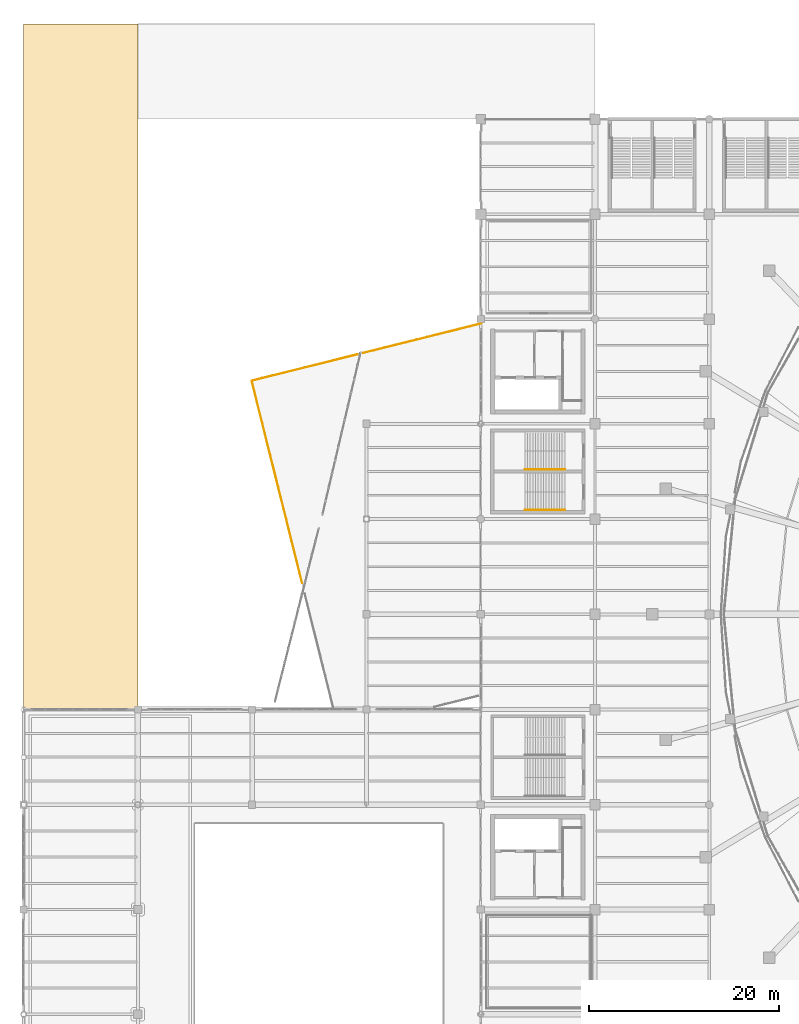
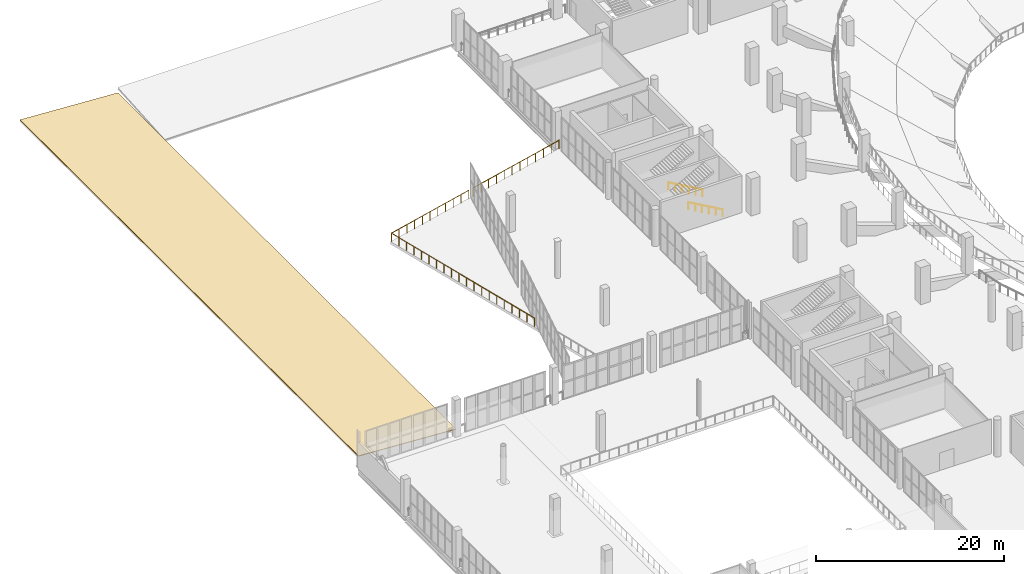
# One storey, part 127 of 136: 4 railings, 1 covering.
"""IFC4 building model written with IfcOpenShell, lengths in metres."""

from ifc_helpers import new_model, si_unit, direction, frame, origin, origin_2d, place, context, subcontext, project, spatial, polyline, circle, outline, extrude, material, layer, layer_set, type_object, element, save


model = new_model("IFC4")

# Units and contexts
model_context = context("Model", 3, precision=1e-05, world=origin(), true_north=direction((0.0, 1.0)))
body_context = subcontext(model_context, "Body", "Model", "MODEL_VIEW")
ifc_project = project(units=[si_unit("LENGTHUNIT", "METRE"), si_unit("AREAUNIT", "SQUARE_METRE"), si_unit("VOLUMEUNIT", "CUBIC_METRE"), si_unit("PLANEANGLEUNIT", "RADIAN"), si_unit("MASSUNIT", "GRAM", prefix="KILO")], contexts=[model_context])

# Site, building, storey
site_placement = place(None, origin())
site = spatial("IfcSite", under=ifc_project, at=site_placement, CompositionType="ELEMENT")
building_placement = place(site_placement, origin())
building = spatial("IfcBuilding", under=site, at=building_placement, Name="Brinegate Civic Arena", CompositionType="ELEMENT")
storey_placement = place(building_placement, frame((0.0, 0.0, 5.39990234375)))
storey = spatial("IfcBuildingStorey", under=building, at=storey_placement, Name="L01", CompositionType="ELEMENT", Elevation=5.39990234375)

# Railings
ifc_material_1 = material(Name="Architectural stainless steel balustrade", Category="steel")
railing_type_1 = type_object("IfcRailingType", Name="RAIL-STAIR-HANDRAIL-900", PredefinedType="HANDRAIL", material=ifc_material_1)
for number, where, name in (
    (1, (52.6298828125, 72.955078125, 2.400146484375), "Stair Pitch Handrail ST-07A L01"),
    (2, (52.6298828125, 77.22509765625, 2.400146484375), "Stair Pitch Handrail ST-07B L01"),
):
    element("IfcRailing", number, at=place(storey_placement, frame(where)), inside=storey, type_object=railing_type_1, Name=name, PredefinedType="HANDRAIL", context=body_context, shape_type="SweptSolid", body=[
        extrude(circle(Radius=0.02392578125, at=origin_2d()), frame((0.001220703125, 0.0, 0.875), z_axis=(0.868240036425, 0.0, -0.496144373291), x_axis=(0.0, 1.0, 0.0)), (0.0, 0.0, 1.0), 4.834716796875),
        extrude(circle(Radius=0.02099609375, at=origin_2d()), origin(), (0.0, 0.0, 1.0), 0.849853515625),
        extrude(circle(Radius=0.02099609375, at=origin_2d()), frame((0.840087890625, 0.0, -0.47998046875)), (0.0, 0.0, 1.0), 0.849853515625),
        extrude(circle(Radius=0.02099609375, at=origin_2d()), frame((1.68017578125, 0.0, -0.9599609375)), (0.0, 0.0, 1.0), 0.849853515625),
        extrude(circle(Radius=0.02099609375, at=origin_2d()), frame((2.52001953125, 0.0, -1.440185546875)), (0.0, 0.0, 1.0), 0.849853515625),
        extrude(circle(Radius=0.02099609375, at=origin_2d()), frame((3.360107421875, 0.0, -1.920166015625)), (0.0, 0.0, 1.0), 0.849853515625),
        extrude(circle(Radius=0.02099609375, at=origin_2d()), frame((4.2001953125, 0.0, -2.400146484375)), (0.0, 0.0, 1.0), 0.849853515625),
    ])
railing_type_2 = type_object("IfcRailingType", Name="RAIL-VOID-BALUSTRADE-1120", PredefinedType="BALUSTRADE", material=ifc_material_1)
railing_1_placement = place(storey_placement, frame((29.261962890625, 65.264892578125, 0.0)))
element("IfcRailing", 3, at=railing_1_placement, inside=storey, type_object=railing_type_2, Name="Deck Edge Balustrade L01-007", PredefinedType="BALUSTRADE", context=body_context, shape_type="SweptSolid", body=[
    extrude(circle(Radius=0.02392578125, at=origin_2d()), frame((-0.000244140625, 0.00146484375, 1.09619140625), z_axis=(-0.241916521183, 0.970297066253, 0.0), x_axis=(-0.970297066253, -0.241916521183, 0.0)), (0.0, 0.0, 1.0), 21.896484375),
    extrude(circle(Radius=0.02392578125, at=origin_2d()), frame((-5.29638671875, 21.249267578125, 1.09619140625), z_axis=(0.970289240353, 0.241947907732, 0.0), x_axis=(-0.241947907732, 0.970289240353, 0.0)), (0.0, 0.0, 1.0), 11.433837890625),
    extrude(circle(Radius=0.02099609375, at=origin_2d()), origin(), (0.0, 0.0, 1.0), 1.070068359375),
    extrude(circle(Radius=0.02099609375, at=origin_2d()), frame((-0.27880859375, 1.118408203125, 0.0)), (0.0, 0.0, 1.0), 1.070068359375),
    extrude(circle(Radius=0.02099609375, at=origin_2d()), frame((-0.5576171875, 2.23681640625, 0.0)), (0.0, 0.0, 1.0), 1.070068359375),
    extrude(circle(Radius=0.02099609375, at=origin_2d()), frame((-0.83642578125, 3.355224609375, 0.0)), (0.0, 0.0, 1.0), 1.070068359375),
    extrude(circle(Radius=0.02099609375, at=origin_2d()), frame((-1.115234375, 4.473388671875, 0.0)), (0.0, 0.0, 1.0), 1.070068359375),
    extrude(circle(Radius=0.02099609375, at=origin_2d()), frame((-1.394287109375, 5.591796875, 0.0)), (0.0, 0.0, 1.0), 1.070068359375),
    extrude(circle(Radius=0.02099609375, at=origin_2d()), frame((-1.673095703125, 6.710205078125, 0.0)), (0.0, 0.0, 1.0), 1.070068359375),
    extrude(circle(Radius=0.02099609375, at=origin_2d()), frame((-1.951904296875, 7.82861328125, 0.0)), (0.0, 0.0, 1.0), 1.070068359375),
    extrude(circle(Radius=0.02099609375, at=origin_2d()), frame((-2.230712890625, 8.947021484375, 0.0)), (0.0, 0.0, 1.0), 1.070068359375),
    extrude(circle(Radius=0.02099609375, at=origin_2d()), frame((-2.509521484375, 10.0654296875, 0.0)), (0.0, 0.0, 1.0), 1.070068359375),
    extrude(circle(Radius=0.02099609375, at=origin_2d()), frame((-2.788330078125, 11.18359375, 0.0)), (0.0, 0.0, 1.0), 1.070068359375),
    extrude(circle(Radius=0.02099609375, at=origin_2d()), frame((-3.067138671875, 12.302001953125, 0.0)), (0.0, 0.0, 1.0), 1.070068359375),
    extrude(circle(Radius=0.02099609375, at=origin_2d()), frame((-3.345947265625, 13.42041015625, 0.0)), (0.0, 0.0, 1.0), 1.070068359375),
    extrude(circle(Radius=0.02099609375, at=origin_2d()), frame((-3.624755859375, 14.538818359375, 0.0)), (0.0, 0.0, 1.0), 1.070068359375),
    extrude(circle(Radius=0.02099609375, at=origin_2d()), frame((-3.903564453125, 15.6572265625, 0.0)), (0.0, 0.0, 1.0), 1.070068359375),
    extrude(circle(Radius=0.02099609375, at=origin_2d()), frame((-4.1826171875, 16.775634765625, 0.0)), (0.0, 0.0, 1.0), 1.070068359375),
    extrude(circle(Radius=0.02099609375, at=origin_2d()), frame((-4.46142578125, 17.893798828125, 0.0)), (0.0, 0.0, 1.0), 1.070068359375),
    extrude(circle(Radius=0.02099609375, at=origin_2d()), frame((-4.740234375, 19.01220703125, 0.0)), (0.0, 0.0, 1.0), 1.070068359375),
    extrude(circle(Radius=0.02099609375, at=origin_2d()), frame((-5.01904296875, 20.130615234375, 0.0)), (0.0, 0.0, 1.0), 1.070068359375),
    extrude(circle(Radius=0.02099609375, at=origin_2d()), frame((-5.2978515625, 21.2490234375, 0.0)), (0.0, 0.0, 1.0), 1.070068359375),
    extrude(circle(Radius=0.02099609375, at=origin_2d()), frame((-4.188232421875, 21.525634765625, 0.0)), (0.0, 0.0, 1.0), 1.070068359375),
    extrude(circle(Radius=0.02099609375, at=origin_2d()), frame((-3.078369140625, 21.802490234375, 0.0)), (0.0, 0.0, 1.0), 1.070068359375),
    extrude(circle(Radius=0.02099609375, at=origin_2d()), frame((-1.96875, 22.0791015625, 0.0)), (0.0, 0.0, 1.0), 1.070068359375),
    extrude(circle(Radius=0.02099609375, at=origin_2d()), frame((-0.859130859375, 22.35595703125, 0.0)), (0.0, 0.0, 1.0), 1.070068359375),
    extrude(circle(Radius=0.02099609375, at=origin_2d()), frame((0.25048828125, 22.632568359375, 0.0)), (0.0, 0.0, 1.0), 1.070068359375),
    extrude(circle(Radius=0.02099609375, at=origin_2d()), frame((1.3603515625, 22.9091796875, 0.0)), (0.0, 0.0, 1.0), 1.070068359375),
    extrude(circle(Radius=0.02099609375, at=origin_2d()), frame((2.469970703125, 23.18603515625, 0.0)), (0.0, 0.0, 1.0), 1.070068359375),
    extrude(circle(Radius=0.02099609375, at=origin_2d()), frame((3.57958984375, 23.462646484375, 0.0)), (0.0, 0.0, 1.0), 1.070068359375),
    extrude(circle(Radius=0.02099609375, at=origin_2d()), frame((4.689453125, 23.739501953125, 0.0)), (0.0, 0.0, 1.0), 1.070068359375),
    extrude(circle(Radius=0.02099609375, at=origin_2d()), frame((5.799072265625, 24.01611328125, 0.0)), (0.0, 0.0, 1.0), 1.070068359375),
])
railing_2_placement = place(storey_placement, frame((35.672119140625, 89.43310546875, 0.0)))
element("IfcRailing", 4, at=railing_2_placement, inside=storey, type_object=railing_type_2, Name="Deck Edge Balustrade L01-008", PredefinedType="BALUSTRADE", context=body_context, shape_type="SweptSolid", body=[
    extrude(circle(Radius=0.02392578125, at=origin_2d()), frame((0.00146484375, 0.000244140625, 1.09619140625), z_axis=(0.970296944532, 0.241917009388, 0.0), x_axis=(-0.241917009388, 0.970296944532, 0.0)), (0.0, 0.0, 1.0), 12.719970703125),
    extrude(circle(Radius=0.02392578125, at=origin_2d()), frame((12.346435546875, 3.078369140625, 1.09619140625), z_axis=(0.929352086046, 0.36919466432, 0.0), x_axis=(-0.36919466432, 0.929352086046, 0.0)), (0.0, 0.0, 1.0), 0.01611328125),
    extrude(circle(Radius=0.02392578125, at=origin_2d()), frame((12.364013671875, 3.0859375, 1.09619140625), z_axis=(0.779714908445, 0.626134699206, 0.0), x_axis=(-0.626134699206, 0.779714908445, 0.0)), (0.0, 0.0, 1.0), 0.017578125),
    extrude(circle(Radius=0.02392578125, at=origin_2d()), frame((12.379638671875, 3.09912109375, 1.09619140625), z_axis=(0.563336824642, 0.826227342808, 0.0), x_axis=(-0.826227342808, 0.563336824642, 0.0)), (0.0, 0.0, 1.0), 0.0166015625),
    extrude(circle(Radius=0.02392578125, at=origin_2d()), frame((12.390380859375, 3.115478515625, 1.09619140625), z_axis=(0.35245498995, 0.93582876642, 0.0), x_axis=(-0.93582876642, 0.35245498995, 0.0)), (0.0, 0.0, 1.0), 0.01708984375),
    extrude(circle(Radius=0.02392578125, at=origin_2d()), frame((12.39697265625, 3.13427734375, 1.09619140625), z_axis=(0.02499219116, 0.999687646408, 0.0), x_axis=(-0.999687646408, 0.02499219116, 0.0)), (0.0, 0.0, 1.0), 0.0361328125),
    extrude(circle(Radius=0.02099609375, at=origin_2d()), origin(), (0.0, 0.0, 1.0), 1.070068359375),
    extrude(circle(Radius=0.02099609375, at=origin_2d()), frame((1.122314453125, 0.27978515625, 0.0)), (0.0, 0.0, 1.0), 1.070068359375),
    extrude(circle(Radius=0.02099609375, at=origin_2d()), frame((2.24462890625, 0.5595703125, 0.0)), (0.0, 0.0, 1.0), 1.070068359375),
    extrude(circle(Radius=0.02099609375, at=origin_2d()), frame((3.36669921875, 0.83935546875, 0.0)), (0.0, 0.0, 1.0), 1.070068359375),
    extrude(circle(Radius=0.02099609375, at=origin_2d()), frame((4.489013671875, 1.119140625, 0.0)), (0.0, 0.0, 1.0), 1.070068359375),
    extrude(circle(Radius=0.02099609375, at=origin_2d()), frame((5.611328125, 1.39892578125, 0.0)), (0.0, 0.0, 1.0), 1.070068359375),
    extrude(circle(Radius=0.02099609375, at=origin_2d()), frame((6.733642578125, 1.678955078125, 0.0)), (0.0, 0.0, 1.0), 1.070068359375),
    extrude(circle(Radius=0.02099609375, at=origin_2d()), frame((7.85595703125, 1.958740234375, 0.0)), (0.0, 0.0, 1.0), 1.070068359375),
    extrude(circle(Radius=0.02099609375, at=origin_2d()), frame((8.978271484375, 2.238525390625, 0.0)), (0.0, 0.0, 1.0), 1.070068359375),
    extrude(circle(Radius=0.02099609375, at=origin_2d()), frame((10.100341796875, 2.518310546875, 0.0)), (0.0, 0.0, 1.0), 1.070068359375),
    extrude(circle(Radius=0.02099609375, at=origin_2d()), frame((11.22265625, 2.798095703125, 0.0)), (0.0, 0.0, 1.0), 1.070068359375),
    extrude(circle(Radius=0.02099609375, at=origin_2d()), frame((12.344970703125, 3.077880859375, 0.0)), (0.0, 0.0, 1.0), 1.070068359375),
    extrude(circle(Radius=0.02099609375, at=origin_2d()), frame((12.39794921875, 3.171875, 0.0)), (0.0, 0.0, 1.0), 1.070068359375),
])

# Covering
ifc_material_2 = material(Name="Standing-seam insulated aluminium roofing", Category="aluminium")
ifc_layer = layer(ifc_material_2, 0.080078125, Name="Standing-seam insulated aluminium roofing")
ifc_layer_set = layer_set([ifc_layer], Name="Standing-seam insulated aluminium roofing")
covering_type = type_object("IfcCoveringType", Name="ROOFING-CANOPY-SEAM-80", PredefinedType="ROOFING", material=ifc_layer_set)
covering_placement = place(storey_placement, frame((0.0, 52.0, 1.485107421875), z_axis=(0.058230289889, 0.0, 0.998303177066), x_axis=(0.998303177066, 0.0, -0.058230289889)))
element("IfcCovering", 5, at=covering_placement, inside=storey, type_object=covering_type, Name="Standing Seam Roof Covering RFG-009", PredefinedType="ROOFING", context=body_context, shape_type="SweptSolid", body=[
    extrude(outline(polyline([(0.0, 0.0), (12.020396484434661, 0.0), (12.020396484434661, 72.0), (0.0, 72.0), (0.0, 0.0)])), origin(), (0.0, 0.0, -1.0), 0.080078125),
])

save(model, "model.ifc")
